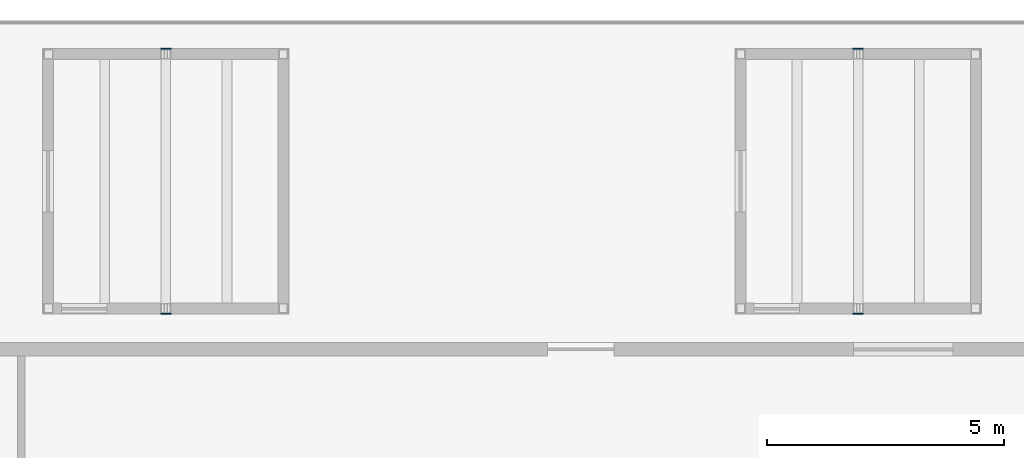
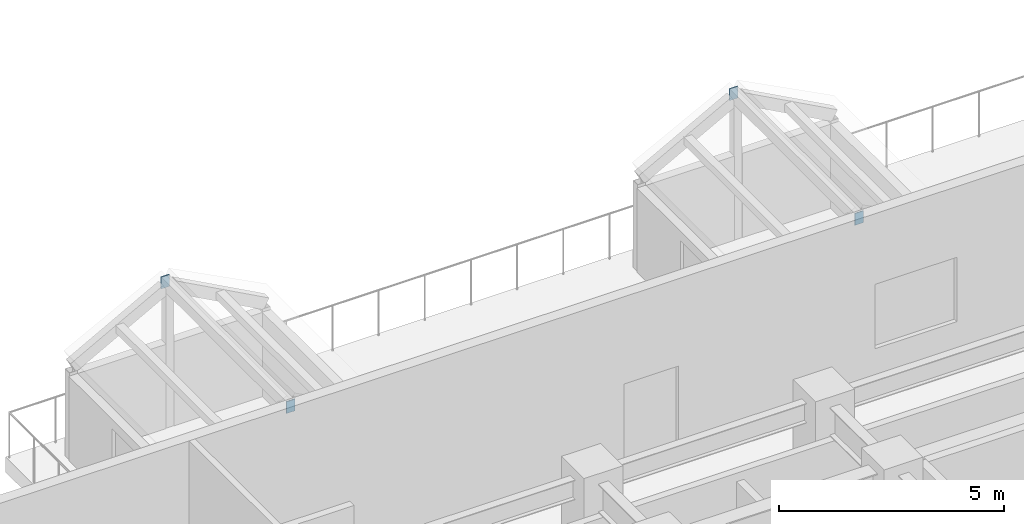
# One storey, part 7 of 18: 4 plates.
"""IFC4 building model written with IfcOpenShell, lengths in metres."""

from ifc_helpers import new_model, si_unit, direction, frame, origin, origin_2d, place, context, subcontext, project, spatial, rectangle, extrude, material, layer, layer_set, type_object, element, save


model = new_model("IFC4")

# Units and contexts
model_context = context("Model", 3, precision=1e-05, world=origin(), true_north=direction((0.0, 1.0)))
body_context = subcontext(model_context, "Body", "Model", "MODEL_VIEW")
ifc_project = project(units=[si_unit("LENGTHUNIT", "METRE"), si_unit("AREAUNIT", "SQUARE_METRE"), si_unit("VOLUMEUNIT", "CUBIC_METRE"), si_unit("PLANEANGLEUNIT", "RADIAN"), si_unit("MASSUNIT", "GRAM", prefix="KILO")], contexts=[model_context])

# Site, building, storey
site_placement = place(None, origin())
site = spatial("IfcSite", under=ifc_project, at=site_placement, CompositionType="ELEMENT")
building_placement = place(site_placement, origin())
building = spatial("IfcBuilding", under=site, at=building_placement, Name="Ochreholt Gables", CompositionType="ELEMENT")
storey_placement = place(building_placement, frame((0.0, 0.0, 4.800048828125)))
storey = spatial("IfcBuildingStorey", under=building, at=storey_placement, Name="L01", CompositionType="ELEMENT", Elevation=4.800048828125)

# Plates
ifc_material = material(Name="Steel CSA G40.21 350W", Category="steel")
ifc_layer = layer(ifc_material, 0.02490234375, Name="Steel CSA G40.21 350W")
ifc_layer_set = layer_set([ifc_layer], Name="Steel CSA G40.21 350W")
plate_type = type_object("IfcPlateType", Name="PL-ECP", PredefinedType="USERDEFINED", material=ifc_layer_set)
for number, where, z_axis, x_axis, name in (
    (1, (14.199951171875, 48.2080078125, 3.666015625), (0.0, 0.0, 1.0), (1.0, 0.0, 0.0), "L01 Gable Ridge Welded End Cap Plate GB-01N1-S"),
    (2, (14.199951171875, 53.7919921875, 3.666015625), (0.0, 0.0, 1.0), (1.0, 0.0, 0.0), "L01 Gable Ridge Welded End Cap Plate GB-01N1-N"),
    (3, (28.800048828125, 48.2080078125, 3.666015625), (0.0, 0.0, 1.0), (1.0, 0.0, 0.0), "L01 Gable Ridge Welded End Cap Plate GB-01N2-S"),
    (4, (28.800048828125, 53.7919921875, 3.666015625), (0.0, 0.0, 1.0), (1.0, 0.0, 0.0), "L01 Gable Ridge Welded End Cap Plate GB-01N2-N"),
):
    element("IfcPlate", number, at=place(storey_placement, frame(where, z_axis=z_axis, x_axis=x_axis)), inside=storey, type_object=plate_type, Name=name, ObjectType="END CAP PLATE", PredefinedType="USERDEFINED", context=body_context, shape_type="SweptSolid", body=[
        extrude(rectangle(XDim=0.219970703125, YDim=0.02490234375, at=origin_2d()), origin(), (0.0, 0.0, 1.0), 0.320068359375),
    ])

save(model, "model.ifc")
